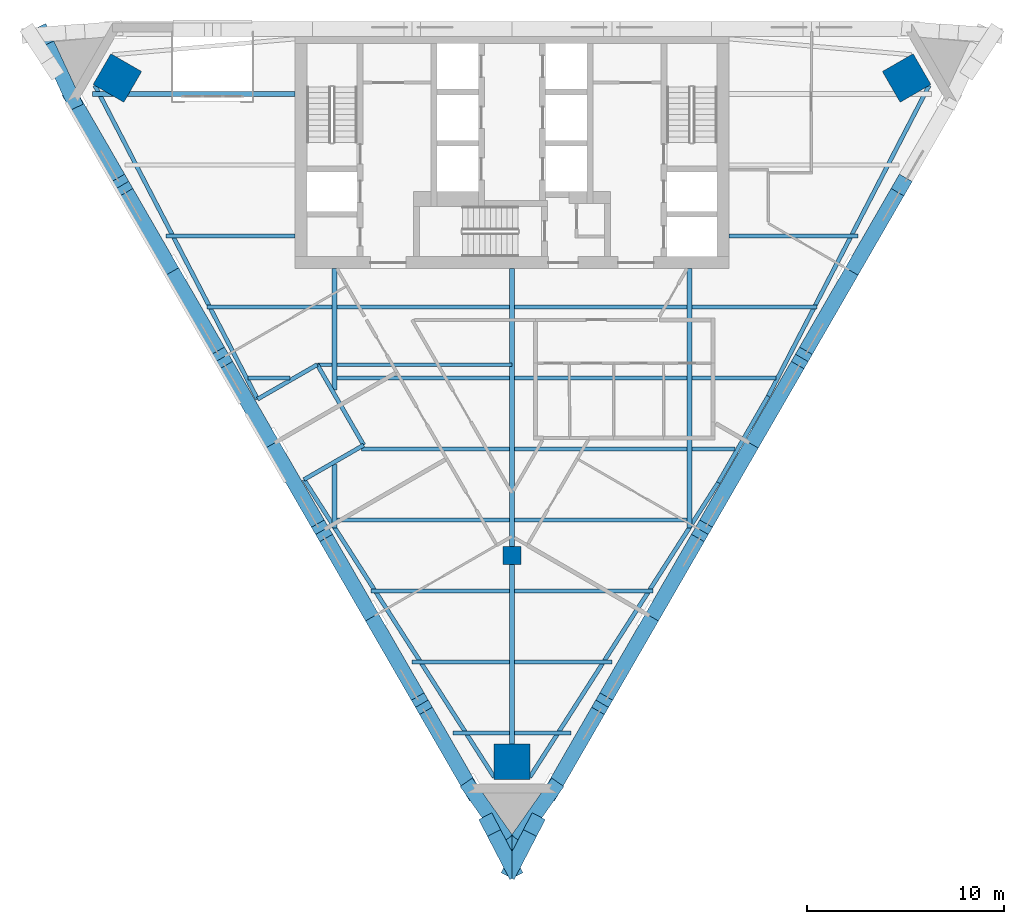
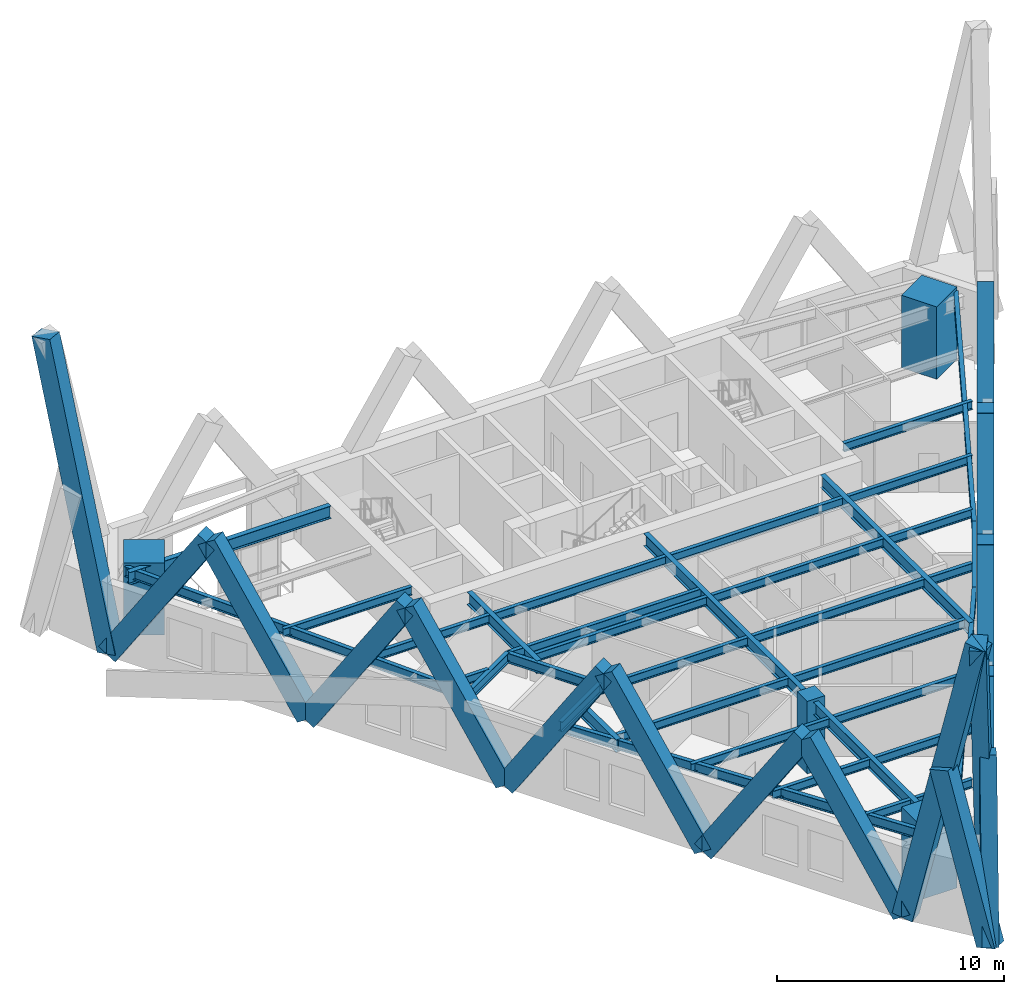
# One storey, part 1 of 9: 36 beams, 20 members, 4 columns.
"""IFC4 building model written with IfcOpenShell, lengths in metres."""

from ifc_helpers import new_model, si_unit, direction, frame, origin, origin_2d, place, context, subcontext, project, spatial, rectangle, i_section, extrude, material, material_profile, profile_set, type_object, element, save


model = new_model("IFC4")

# Units and contexts
model_context = context("Model", 3, precision=1e-05, world=origin(), true_north=direction((0.0, 1.0)))
body_context = subcontext(model_context, "Body", "Model", "MODEL_VIEW")
ifc_project = project(units=[si_unit("LENGTHUNIT", "METRE"), si_unit("AREAUNIT", "SQUARE_METRE"), si_unit("VOLUMEUNIT", "CUBIC_METRE"), si_unit("PLANEANGLEUNIT", "RADIAN"), si_unit("MASSUNIT", "GRAM", prefix="KILO")], contexts=[model_context])

# Site, building, storey
site_placement = place(None, origin())
site = spatial("IfcSite", under=ifc_project, at=site_placement, CompositionType="ELEMENT")
building_placement = place(site_placement, origin())
building = spatial("IfcBuilding", under=site, at=building_placement, Name="Aloe Facet Convention Tower", CompositionType="ELEMENT")
storey_placement = place(building_placement, frame((0.0, 0.0, 144.199951171875)))
storey = spatial("IfcBuildingStorey", under=building, at=storey_placement, Name="L36", CompositionType="ELEMENT", Elevation=144.199951171875)

# Columns
ifc_material_1 = material(Name="Concrete C70/85", Category="concrete")
ifc_material_profile_1 = material_profile(ifc_material_1, rectangle(XDim=0.89990234375, YDim=0.89990234375, at=origin_2d()), Name="SF-GC-Z3")
ifc_profile_set_1 = profile_set([ifc_material_profile_1], Name="Concrete C70/85")
column_type_1 = type_object("IfcColumnType", Name="SF-GC-Z3", PredefinedType="COLUMN", material=ifc_profile_set_1)
column_placement = place(storey_placement, frame((80.0, 108.0, 0.0), z_axis=(0.0, 0.0, 1.0), x_axis=(1.0, 0.0, 0.0)))
element("IfcColumn", 1, at=column_placement, inside=storey, type_object=column_type_1, Name="Gravity column GC-Z3-9D", PredefinedType="COLUMN", context=body_context, shape_type="SweptSolid", body=[
    extrude(rectangle(XDim=0.89990234375, YDim=0.89990234375, at=origin_2d()), origin(), (0.0, 0.0, 1.0), 3.900146484375),
])
ifc_material_2 = material(Name="Concrete C80/95", Category="concrete")
ifc_material_profile_2 = material_profile(ifc_material_2, rectangle(XDim=1.800048828125, YDim=1.800048828125, at=origin_2d()), Name="STW-MC-Z3")
ifc_profile_set_2 = profile_set([ifc_material_profile_2], Name="Concrete C80/95")
column_type_2 = type_object("IfcColumnType", Name="STW-MC-Z3", PredefinedType="COLUMN", material=ifc_profile_set_2)
for number, where, z_axis, x_axis, name in (
    (2, (100.00732421875, 132.208251953125, 0.0), (0.0, 0.0, 1.0), (-0.5, 0.866025403784, 0.0), "Mega-column MC-NE-L36"),
    (3, (59.99267578125, 132.208251953125, 0.0), (0.0, 0.0, 1.0), (-0.5, -0.866025403784, 0.0), "Mega-column MC-NW-L36"),
    (4, (80.0, 97.55419921875, 0.0), (0.0, 0.0, 1.0), (1.0, 0.0, 0.0), "Mega-column MC-S-L36"),
):
    element("IfcColumn", number, at=place(storey_placement, frame(where, z_axis=z_axis, x_axis=x_axis)), inside=storey, type_object=column_type_2, Name=name, PredefinedType="COLUMN", context=body_context, shape_type="SweptSolid", body=[
        extrude(rectangle(XDim=1.800048828125, YDim=1.800048828125, at=origin_2d()), origin(), (0.0, 0.0, 1.0), 3.900146484375),
    ])

# Beams
ifc_material_3 = material(Name="Steel S355", Category="steel")
ifc_material_profile_3 = material_profile(ifc_material_3, i_section(OverallWidth=0.19140625, OverallDepth=0.4599609375, WebThickness=0.010009765625, FlangeThickness=0.01611328125, FilletRadius=0.01025390625, at=origin_2d()), Name="UB 457x191x82")
ifc_profile_set_3 = profile_set([ifc_material_profile_3], Name="Steel S355")
beam_type_1 = type_object("IfcBeamType", Name="SF-B-UB457x191x82", PredefinedType="BEAM", material=ifc_profile_set_3)
beam_1_placement = place(storey_placement, frame((62.452392578125, 124.199951171875, 3.52001953125), z_axis=(1.0, 0.0, 0.0), x_axis=(0.0, 1.0, 0.0)))
element("IfcBeam", 5, at=beam_1_placement, inside=storey, type_object=beam_type_1, Name="Floor beam FB-Z3F-019", PredefinedType="BEAM", context=body_context, shape_type="SweptSolid", body=[
    extrude(i_section(OverallWidth=0.19140625, OverallDepth=0.4599609375, WebThickness=0.010009765625, FlangeThickness=0.01611328125, FilletRadius=0.01025390625, at=origin_2d()), origin(), (0.0, 0.0, 1.0), 6.547607421875),
])
beam_2_placement = place(storey_placement, frame((64.53076171875, 120.60009765625, 3.52001953125), z_axis=(1.0, 0.0, 0.0), x_axis=(0.0, 1.0, 0.0)))
element("IfcBeam", 6, at=beam_2_placement, inside=storey, type_object=beam_type_1, Name="Floor beam FB-Z3F-020", PredefinedType="BEAM", context=body_context, shape_type="SweptSolid", body=[
    extrude(i_section(OverallWidth=0.19140625, OverallDepth=0.4599609375, WebThickness=0.010009765625, FlangeThickness=0.01611328125, FilletRadius=0.01025390625, at=origin_2d()), origin(), (0.0, 0.0, 1.0), 6.3427734375),
])
beam_3_placement = place(storey_placement, frame((66.609130859375, 117.0, 3.52001953125), z_axis=(1.0, 0.0, 0.0), x_axis=(0.0, 1.0, 0.0)))
element("IfcBeam", 7, at=beam_3_placement, inside=storey, type_object=beam_type_1, Name="Floor beam FB-Z3F-021", PredefinedType="BEAM", context=body_context, shape_type="SweptSolid", body=[
    extrude(i_section(OverallWidth=0.19140625, OverallDepth=0.4599609375, WebThickness=0.010009765625, FlangeThickness=0.01611328125, FilletRadius=0.01025390625, at=origin_2d()), origin(), (0.0, 0.0, 1.0), 2.12841796875),
])
beam_4_placement = place(storey_placement, frame((70.129150390625, 117.6767578125, 3.52001953125), z_axis=(1.0, 0.0, 0.0), x_axis=(0.0, 1.0, 0.0)))
element("IfcBeam", 8, at=beam_4_placement, inside=storey, type_object=beam_type_1, Name="Floor beam FB-Z3F-022", PredefinedType="BEAM", context=body_context, shape_type="SweptSolid", body=[
    extrude(i_section(OverallWidth=0.19140625, OverallDepth=0.4599609375, WebThickness=0.010009765625, FlangeThickness=0.01611328125, FilletRadius=0.01025390625, at=origin_2d()), origin(), (0.0, 0.0, 1.0), 9.870849609375),
])
for number, where, z_axis, x_axis, name in (
    (9, (71.12646484375, 109.800048828125, 3.52001953125), (1.0, 0.0, 0.0), (0.0, 1.0, 0.0), "Floor beam FB-Z3F-023"),
    (10, (71.12646484375, 117.0, 3.52001953125), (1.0, 0.0, 0.0), (0.0, 1.0, 0.0), "Floor beam FB-Z3F-024"),
    (11, (71.12646484375, 120.60009765625, 3.52001953125), (1.0, 0.0, 0.0), (0.0, 1.0, 0.0), "Floor beam FB-Z3F-025"),
):
    element("IfcBeam", number, at=place(storey_placement, frame(where, z_axis=z_axis, x_axis=x_axis)), inside=storey, type_object=beam_type_1, Name=name, PredefinedType="BEAM", context=body_context, shape_type="SweptSolid", body=[
        extrude(i_section(OverallWidth=0.19140625, OverallDepth=0.4599609375, WebThickness=0.010009765625, FlangeThickness=0.01611328125, FilletRadius=0.01025390625, at=origin_2d()), origin(), (0.0, 0.0, 1.0), 8.7470703125),
    ])
beam_5_placement = place(storey_placement, frame((72.359375, 113.39990234375, 3.52001953125), z_axis=(1.0, 0.0, 0.0), x_axis=(0.0, 1.0, 0.0)))
element("IfcBeam", 12, at=beam_5_placement, inside=storey, type_object=beam_type_1, Name="Floor beam FB-Z3F-026", PredefinedType="BEAM", context=body_context, shape_type="SweptSolid", body=[
    extrude(i_section(OverallWidth=0.19140625, OverallDepth=0.4599609375, WebThickness=0.010009765625, FlangeThickness=0.01611328125, FilletRadius=0.01025390625, at=origin_2d()), origin(), (0.0, 0.0, 1.0), 7.51416015625),
])
beam_6_placement = place(storey_placement, frame((72.844482421875, 106.199951171875, 3.52001953125), z_axis=(1.0, 0.0, 0.0), x_axis=(0.0, 1.0, 0.0)))
element("IfcBeam", 13, at=beam_6_placement, inside=storey, type_object=beam_type_1, Name="Floor beam FB-Z3F-027", PredefinedType="BEAM", context=body_context, shape_type="SweptSolid", body=[
    extrude(i_section(OverallWidth=0.19140625, OverallDepth=0.4599609375, WebThickness=0.010009765625, FlangeThickness=0.01611328125, FilletRadius=0.01025390625, at=origin_2d()), origin(), (0.0, 0.0, 1.0), 7.029052734375),
])
beam_7_placement = place(storey_placement, frame((74.923095703125, 102.60009765625, 3.52001953125), z_axis=(1.0, 0.0, 0.0), x_axis=(0.0, 1.0, 0.0)))
element("IfcBeam", 14, at=beam_7_placement, inside=storey, type_object=beam_type_1, Name="Floor beam FB-Z3F-028", PredefinedType="BEAM", context=body_context, shape_type="SweptSolid", body=[
    extrude(i_section(OverallWidth=0.19140625, OverallDepth=0.4599609375, WebThickness=0.010009765625, FlangeThickness=0.01611328125, FilletRadius=0.01025390625, at=origin_2d()), origin(), (0.0, 0.0, 1.0), 4.950439453125),
])
for number, where, z_axis, x_axis, name in (
    (15, (77.00146484375, 99.0, 3.52001953125), (1.0, 0.0, 0.0), (0.0, 1.0, 0.0), "Floor beam FB-Z3F-029"),
    (16, (80.12646484375, 99.0, 3.52001953125), (1.0, 0.0, 0.0), (0.0, 1.0, 0.0), "Floor beam FB-Z3F-030"),
):
    element("IfcBeam", number, at=place(storey_placement, frame(where, z_axis=z_axis, x_axis=x_axis)), inside=storey, type_object=beam_type_1, Name=name, PredefinedType="BEAM", context=body_context, shape_type="SweptSolid", body=[
        extrude(i_section(OverallWidth=0.19140625, OverallDepth=0.4599609375, WebThickness=0.010009765625, FlangeThickness=0.01611328125, FilletRadius=0.01025390625, at=origin_2d()), origin(), (0.0, 0.0, 1.0), 2.8720703125),
    ])
beam_8_placement = place(storey_placement, frame((80.12646484375, 102.60009765625, 3.52001953125), z_axis=(1.0, 0.0, 0.0), x_axis=(0.0, 1.0, 0.0)))
element("IfcBeam", 17, at=beam_8_placement, inside=storey, type_object=beam_type_1, Name="Floor beam FB-Z3F-031", PredefinedType="BEAM", context=body_context, shape_type="SweptSolid", body=[
    extrude(i_section(OverallWidth=0.19140625, OverallDepth=0.4599609375, WebThickness=0.010009765625, FlangeThickness=0.01611328125, FilletRadius=0.01025390625, at=origin_2d()), origin(), (0.0, 0.0, 1.0), 4.950439453125),
])
beam_9_placement = place(storey_placement, frame((80.12646484375, 106.199951171875, 3.52001953125), z_axis=(1.0, 0.0, 0.0), x_axis=(0.0, 1.0, 0.0)))
element("IfcBeam", 18, at=beam_9_placement, inside=storey, type_object=beam_type_1, Name="Floor beam FB-Z3F-032", PredefinedType="BEAM", context=body_context, shape_type="SweptSolid", body=[
    extrude(i_section(OverallWidth=0.19140625, OverallDepth=0.4599609375, WebThickness=0.010009765625, FlangeThickness=0.01611328125, FilletRadius=0.01025390625, at=origin_2d()), origin(), (0.0, 0.0, 1.0), 7.029052734375),
])
for number, where, z_axis, x_axis, name in (
    (19, (80.12646484375, 109.800048828125, 3.52001953125), (1.0, 0.0, 0.0), (0.0, 1.0, 0.0), "Floor beam FB-Z3F-033"),
    (20, (80.12646484375, 113.39990234375, 3.52001953125), (1.0, 0.0, 0.0), (0.0, 1.0, 0.0), "Floor beam FB-Z3F-034"),
    (21, (80.12646484375, 117.0, 3.52001953125), (1.0, 0.0, 0.0), (0.0, 1.0, 0.0), "Floor beam FB-Z3F-035"),
    (22, (80.12646484375, 120.60009765625, 3.52001953125), (1.0, 0.0, 0.0), (0.0, 1.0, 0.0), "Floor beam FB-Z3F-036"),
):
    element("IfcBeam", number, at=place(storey_placement, frame(where, z_axis=z_axis, x_axis=x_axis)), inside=storey, type_object=beam_type_1, Name=name, PredefinedType="BEAM", context=body_context, shape_type="SweptSolid", body=[
        extrude(i_section(OverallWidth=0.19140625, OverallDepth=0.4599609375, WebThickness=0.010009765625, FlangeThickness=0.01611328125, FilletRadius=0.01025390625, at=origin_2d()), origin(), (0.0, 0.0, 1.0), 8.7470703125),
    ])
beam_10_placement = place(storey_placement, frame((89.12646484375, 113.39990234375, 3.52001953125), z_axis=(1.0, 0.0, 0.0), x_axis=(0.0, 1.0, 0.0)))
element("IfcBeam", 23, at=beam_10_placement, inside=storey, type_object=beam_type_1, Name="Floor beam FB-Z3F-037", PredefinedType="BEAM", context=body_context, shape_type="SweptSolid", body=[
    extrude(i_section(OverallWidth=0.19140625, OverallDepth=0.4599609375, WebThickness=0.010009765625, FlangeThickness=0.01611328125, FilletRadius=0.01025390625, at=origin_2d()), origin(), (0.0, 0.0, 1.0), 2.185791015625),
])
beam_11_placement = place(storey_placement, frame((89.12646484375, 117.0, 3.52001953125), z_axis=(1.0, 0.0, 0.0), x_axis=(0.0, 1.0, 0.0)))
element("IfcBeam", 24, at=beam_11_placement, inside=storey, type_object=beam_type_1, Name="Floor beam FB-Z3F-038", PredefinedType="BEAM", context=body_context, shape_type="SweptSolid", body=[
    extrude(i_section(OverallWidth=0.19140625, OverallDepth=0.4599609375, WebThickness=0.010009765625, FlangeThickness=0.01611328125, FilletRadius=0.01025390625, at=origin_2d()), origin(), (0.0, 0.0, 1.0), 4.264404296875),
])
beam_12_placement = place(storey_placement, frame((89.12646484375, 120.60009765625, 3.52001953125), z_axis=(1.0, 0.0, 0.0), x_axis=(0.0, 1.0, 0.0)))
element("IfcBeam", 25, at=beam_12_placement, inside=storey, type_object=beam_type_1, Name="Floor beam FB-Z3F-039", PredefinedType="BEAM", context=body_context, shape_type="SweptSolid", body=[
    extrude(i_section(OverallWidth=0.19140625, OverallDepth=0.4599609375, WebThickness=0.010009765625, FlangeThickness=0.01611328125, FilletRadius=0.01025390625, at=origin_2d()), origin(), (0.0, 0.0, 1.0), 6.3427734375),
])
beam_13_placement = place(storey_placement, frame((91.0, 124.199951171875, 3.52001953125), z_axis=(1.0, 0.0, 0.0), x_axis=(0.0, 1.0, 0.0)))
element("IfcBeam", 26, at=beam_13_placement, inside=storey, type_object=beam_type_1, Name="Floor beam FB-Z3F-040", PredefinedType="BEAM", context=body_context, shape_type="SweptSolid", body=[
    extrude(i_section(OverallWidth=0.19140625, OverallDepth=0.4599609375, WebThickness=0.010009765625, FlangeThickness=0.01611328125, FilletRadius=0.01025390625, at=origin_2d()), origin(), (0.0, 0.0, 1.0), 6.547607421875),
])
ifc_material_4 = material(Name="Steel S355", Category="steel")
ifc_material_profile_4 = material_profile(ifc_material_4, i_section(OverallWidth=0.209228515625, OverallDepth=0.533203125, WebThickness=0.010009765625, FlangeThickness=0.015625, FilletRadius=0.0126953125, at=origin_2d()), Name="UB 533x210x92")
ifc_profile_set_4 = profile_set([ifc_material_profile_4], Name="Steel S355")
beam_type_2 = type_object("IfcBeamType", Name="SF-B-UB533x210x92", PredefinedType="BEAM", material=ifc_profile_set_4)
beam_14_placement = place(storey_placement, frame((67.097900390625, 115.9267578125, 3.4833984375), z_axis=(-0.460311593914, 0.887757419855, 0.0), x_axis=(-0.887757419855, -0.460311593914, 0.0)))
element("IfcBeam", 27, at=beam_14_placement, inside=storey, type_object=beam_type_2, Name="Floor beam FB-Z3F-001", PredefinedType="BEAM", context=body_context, shape_type="SweptSolid", body=[
    extrude(i_section(OverallWidth=0.209228515625, OverallDepth=0.533203125, WebThickness=0.010009765625, FlangeThickness=0.015625, FilletRadius=0.0126953125, at=origin_2d()), origin(), (0.0, 0.0, 1.0), 17.909912109375),
])
beam_15_placement = place(storey_placement, frame((69.45263671875, 111.848388671875, 3.4833984375), z_axis=(0.866019471182, 0.500010275428, 0.0), x_axis=(-0.500010275428, 0.866019471182, 0.0)))
element("IfcBeam", 28, at=beam_15_placement, inside=storey, type_object=beam_type_2, Name="Floor beam FB-Z3F-003", PredefinedType="BEAM", context=body_context, shape_type="SweptSolid", body=[
    extrude(i_section(OverallWidth=0.209228515625, OverallDepth=0.533203125, WebThickness=0.010009765625, FlangeThickness=0.015625, FilletRadius=0.0126953125, at=origin_2d()), origin(), (0.0, 0.0, 1.0), 3.5),
])
beam_16_placement = place(storey_placement, frame((69.45263671875, 111.848388671875, 3.4833984375), z_axis=(0.538662177548, -0.842521844512, 0.0), x_axis=(0.842521844512, 0.538662177548, 0.0)))
element("IfcBeam", 29, at=beam_16_placement, inside=storey, type_object=beam_type_2, Name="Floor beam FB-Z3F-004", PredefinedType="BEAM", context=body_context, shape_type="SweptSolid", body=[
    extrude(i_section(OverallWidth=0.209228515625, OverallDepth=0.533203125, WebThickness=0.010009765625, FlangeThickness=0.015625, FilletRadius=0.0126953125, at=origin_2d()), origin(), (0.0, 0.0, 1.0), 17.91015625),
])
beam_17_placement = place(storey_placement, frame((70.129150390625, 117.6767578125, 3.4833984375), z_axis=(-0.866036909293, -0.499980071345, 0.0), x_axis=(0.499980071345, -0.866036909293, 0.0)))
element("IfcBeam", 30, at=beam_17_placement, inside=storey, type_object=beam_type_2, Name="Floor beam FB-Z3F-005", PredefinedType="BEAM", context=body_context, shape_type="SweptSolid", body=[
    extrude(i_section(OverallWidth=0.209228515625, OverallDepth=0.533203125, WebThickness=0.010009765625, FlangeThickness=0.015625, FilletRadius=0.0126953125, at=origin_2d()), origin(), (0.0, 0.0, 1.0), 3.500244140625),
])
beam_18_placement = place(storey_placement, frame((72.483642578125, 113.598388671875, 3.4833984375), z_axis=(-0.499975261021, 0.86603968637, 0.0), x_axis=(-0.86603968637, -0.499975261021, 0.0)))
element("IfcBeam", 31, at=beam_18_placement, inside=storey, type_object=beam_type_2, Name="Floor beam FB-Z3F-006", PredefinedType="BEAM", context=body_context, shape_type="SweptSolid", body=[
    extrude(i_section(OverallWidth=0.209228515625, OverallDepth=0.533203125, WebThickness=0.010009765625, FlangeThickness=0.015625, FilletRadius=0.0126953125, at=origin_2d()), origin(), (0.0, 0.0, 1.0), 4.709228515625),
])
beam_19_placement = place(storey_placement, frame((90.45947265625, 111.6962890625, 3.4833984375), z_axis=(-0.539036507864, -0.842282401092, 0.0), x_axis=(0.842282401092, -0.539036507864, 0.0)))
element("IfcBeam", 32, at=beam_19_placement, inside=storey, type_object=beam_type_2, Name="Floor beam FB-Z3F-007", PredefinedType="BEAM", context=body_context, shape_type="SweptSolid", body=[
    extrude(i_section(OverallWidth=0.209228515625, OverallDepth=0.533203125, WebThickness=0.010009765625, FlangeThickness=0.015625, FilletRadius=0.0126953125, at=origin_2d()), origin(), (0.0, 0.0, 1.0), 17.734619140625),
])
beam_20_placement = place(storey_placement, frame((92.989990234375, 116.0791015625, 3.4833984375), z_axis=(-0.500014760403, -0.866016881694, 0.0), x_axis=(0.866016881694, -0.500014760403, 0.0)))
element("IfcBeam", 33, at=beam_20_placement, inside=storey, type_object=beam_type_2, Name="Floor beam FB-Z3F-009", PredefinedType="BEAM", context=body_context, shape_type="SweptSolid", body=[
    extrude(i_section(OverallWidth=0.209228515625, OverallDepth=0.533203125, WebThickness=0.010009765625, FlangeThickness=0.015625, FilletRadius=0.0126953125, at=origin_2d()), origin(), (0.0, 0.0, 1.0), 5.060791015625),
])
beam_21_placement = place(storey_placement, frame((92.989990234375, 116.0791015625, 3.4833984375), z_axis=(0.459916083949, 0.887962384184, 0.0), x_axis=(-0.887962384184, 0.459916083949, 0.0)))
element("IfcBeam", 34, at=beam_21_placement, inside=storey, type_object=beam_type_2, Name="Floor beam FB-Z3F-010", PredefinedType="BEAM", context=body_context, shape_type="SweptSolid", body=[
    extrude(i_section(OverallWidth=0.209228515625, OverallDepth=0.533203125, WebThickness=0.010009765625, FlangeThickness=0.015625, FilletRadius=0.0126953125, at=origin_2d()), origin(), (0.0, 0.0, 1.0), 17.734130859375),
])
ifc_material_5 = material(Name="Steel S355", Category="steel")
ifc_material_profile_5 = material_profile(ifc_material_5, i_section(OverallWidth=0.2529296875, OverallDepth=0.677978515625, WebThickness=0.01171875, FlangeThickness=0.01611328125, FilletRadius=0.01513671875, at=origin_2d()), Name="UB 686x254x125")
ifc_profile_set_5 = profile_set([ifc_material_profile_5], Name="Steel S355")
beam_type_3 = type_object("IfcBeamType", Name="SF-B-UB686x254x125", PredefinedType="BEAM", material=ifc_profile_set_5)
beam_22_placement = place(storey_placement, frame((58.73828125, 131.39990234375, 3.4111328125), z_axis=(1.0, 0.0, 0.0), x_axis=(0.0, 1.0, 0.0)))
element("IfcBeam", 35, at=beam_22_placement, inside=storey, type_object=beam_type_3, Name="Floor beam FB-Z3F-011", PredefinedType="BEAM", context=body_context, shape_type="SweptSolid", body=[
    extrude(i_section(OverallWidth=0.2529296875, OverallDepth=0.677978515625, WebThickness=0.01171875, FlangeThickness=0.01611328125, FilletRadius=0.01513671875, at=origin_2d()), origin(), (0.0, 0.0, 1.0), 10.26171875),
])
beam_23_placement = place(storey_placement, frame((71.0, 112.61083984375, 3.4111328125), z_axis=(0.0, -1.0, 0.0), x_axis=(1.0, 0.0, 0.0)))
element("IfcBeam", 36, at=beam_23_placement, inside=storey, type_object=beam_type_3, Name="Floor beam FB-Z3F-012", PredefinedType="BEAM", context=body_context, shape_type="SweptSolid", body=[
    extrude(i_section(OverallWidth=0.2529296875, OverallDepth=0.677978515625, WebThickness=0.01171875, FlangeThickness=0.01611328125, FilletRadius=0.01513671875, at=origin_2d()), origin(), (0.0, 0.0, 1.0), 3.22314453125),
])
beam_24_placement = place(storey_placement, frame((71.0, 122.550048828125, 3.4111328125), z_axis=(0.0, -1.0, 0.0), x_axis=(1.0, 0.0, 0.0)))
element("IfcBeam", 37, at=beam_24_placement, inside=storey, type_object=beam_type_3, Name="Floor beam FB-Z3F-013", PredefinedType="BEAM", context=body_context, shape_type="SweptSolid", body=[
    extrude(i_section(OverallWidth=0.2529296875, OverallDepth=0.677978515625, WebThickness=0.01171875, FlangeThickness=0.01611328125, FilletRadius=0.01513671875, at=origin_2d()), origin(), (0.0, 0.0, 1.0), 6.162353515625),
])
beam_25_placement = place(storey_placement, frame((80.0, 107.550048828125, 3.4111328125), z_axis=(0.0, -1.0, 0.0), x_axis=(1.0, 0.0, 0.0)))
element("IfcBeam", 38, at=beam_25_placement, inside=storey, type_object=beam_type_3, Name="Floor beam FB-Z3F-014", PredefinedType="BEAM", context=body_context, shape_type="SweptSolid", body=[
    extrude(i_section(OverallWidth=0.2529296875, OverallDepth=0.677978515625, WebThickness=0.01171875, FlangeThickness=0.01611328125, FilletRadius=0.01513671875, at=origin_2d()), origin(), (0.0, 0.0, 1.0), 10.676513671875),
])
beam_26_placement = place(storey_placement, frame((80.0, 122.550048828125, 3.4111328125), z_axis=(0.0, -1.0, 0.0), x_axis=(1.0, 0.0, 0.0)))
element("IfcBeam", 39, at=beam_26_placement, inside=storey, type_object=beam_type_3, Name="Floor beam FB-Z3F-015", PredefinedType="BEAM", context=body_context, shape_type="SweptSolid", body=[
    extrude(i_section(OverallWidth=0.2529296875, OverallDepth=0.677978515625, WebThickness=0.01171875, FlangeThickness=0.01611328125, FilletRadius=0.01513671875, at=origin_2d()), origin(), (0.0, 0.0, 1.0), 14.10009765625),
])
beam_27_placement = place(storey_placement, frame((89.0, 122.550048828125, 3.4111328125), z_axis=(0.0, -1.0, 0.0), x_axis=(1.0, 0.0, 0.0)))
element("IfcBeam", 40, at=beam_27_placement, inside=storey, type_object=beam_type_3, Name="Floor beam FB-Z3F-016", PredefinedType="BEAM", context=body_context, shape_type="SweptSolid", body=[
    extrude(i_section(OverallWidth=0.2529296875, OverallDepth=0.677978515625, WebThickness=0.01171875, FlangeThickness=0.01611328125, FilletRadius=0.01513671875, at=origin_2d()), origin(), (0.0, 0.0, 1.0), 13.162353515625),
])

# Members
ifc_material_6 = material(Name="Concrete C60/75, bronze oxide finish", Category="concrete")
ifc_material_profile_6 = material_profile(ifc_material_6, rectangle(XDim=0.75, YDim=1.0, at=origin_2d()), Name="STW-LM")
ifc_profile_set_6 = profile_set([ifc_material_profile_6], Name="Concrete C60/75, bronze oxide finish")
member_type = type_object("IfcMemberType", Name="STW-LM", PredefinedType="BRACE", material=ifc_profile_set_6)
for number, where, z_axis, x_axis, name in (
    (41, (57.716796875, 131.166259765625, 0.0), (0.272132057907, -0.471373475835, 0.838898795647), (0.866037770685, 0.499978579288, 0.0), "Lattice member LM-Z3-F2-R2-01"),
    (42, (62.777587890625, 122.40087890625, 0.0), (-0.272159738981, 0.47134968398, 0.83890318386), (-0.866004820053, -0.500035650373, 0.0), "Lattice member LM-Z3-F2-R2-02"),
    (43, (62.777587890625, 122.40087890625, 0.0), (0.272132057907, -0.471373475835, 0.838898795647), (0.866037770685, 0.499978579288, 0.0), "Lattice member LM-Z3-F2-R2-03"),
):
    element("IfcMember", number, at=place(storey_placement, frame(where, z_axis=z_axis, x_axis=x_axis)), inside=storey, type_object=member_type, Name=name, PredefinedType="BRACE", context=body_context, shape_type="SweptSolid", body=[
        extrude(rectangle(XDim=0.75, YDim=1.0, at=origin_2d()), origin(), (0.0, 0.0, 1.0), 9.2978515625),
    ])
member_1_placement = place(storey_placement, frame((67.83837890625, 113.63525390625, 0.0), z_axis=(-0.272156370565, 0.471370107514, 0.838892801079), x_axis=(-0.866016881694, -0.500014760403, 0.0)))
element("IfcMember", 44, at=member_1_placement, inside=storey, type_object=member_type, Name="Lattice member LM-Z3-F2-R2-04", PredefinedType="BRACE", context=body_context, shape_type="SweptSolid", body=[
    extrude(rectangle(XDim=0.75, YDim=1.0, at=origin_2d()), origin(), (0.0, 0.0, 1.0), 9.298095703125),
])
for number, where, z_axis, x_axis, name in (
    (45, (67.83837890625, 113.63525390625, 0.0), (0.272132057907, -0.471373475835, 0.838898795647), (0.866037770685, 0.499978579288, 0.0), "Lattice member LM-Z3-F2-R2-05"),
    (46, (72.89892578125, 104.869873046875, 0.0), (-0.272135426071, 0.471353052238, 0.83890917865), (-0.866025710499, -0.499999468754, 0.0), "Lattice member LM-Z3-F2-R2-06"),
):
    element("IfcMember", number, at=place(storey_placement, frame(where, z_axis=z_axis, x_axis=x_axis)), inside=storey, type_object=member_type, Name=name, PredefinedType="BRACE", context=body_context, shape_type="SweptSolid", body=[
        extrude(rectangle(XDim=0.75, YDim=1.0, at=origin_2d()), origin(), (0.0, 0.0, 1.0), 9.2978515625),
    ])
member_2_placement = place(storey_placement, frame((72.89892578125, 104.869873046875, 0.0), z_axis=(0.272156370565, -0.471370107514, 0.838892801079), x_axis=(0.866016881694, 0.500014760403, 0.0)))
element("IfcMember", 47, at=member_2_placement, inside=storey, type_object=member_type, Name="Lattice member LM-Z3-F2-R2-07", PredefinedType="BRACE", context=body_context, shape_type="SweptSolid", body=[
    extrude(rectangle(XDim=0.75, YDim=1.0, at=origin_2d()), origin(), (0.0, 0.0, 1.0), 9.298095703125),
])
for number, where, z_axis, x_axis, name in (
    (48, (77.959716796875, 96.104248046875, 0.0), (-0.272132057907, 0.471373475835, 0.838898795647), (-0.866037770685, -0.499978579288, 0.0), "Lattice member LM-Z3-F2-R2-08"),
    (49, (82.040283203125, 96.104248046875, 0.0), (0.272132057907, 0.471373475835, 0.838898795647), (-0.866037770685, 0.499978579288, 0.0), "Lattice member LM-Z3-F3-R2-01"),
):
    element("IfcMember", number, at=place(storey_placement, frame(where, z_axis=z_axis, x_axis=x_axis)), inside=storey, type_object=member_type, Name=name, PredefinedType="BRACE", context=body_context, shape_type="SweptSolid", body=[
        extrude(rectangle(XDim=0.75, YDim=1.0, at=origin_2d()), origin(), (0.0, 0.0, 1.0), 9.2978515625),
    ])
member_3_placement = place(storey_placement, frame((87.10107421875, 104.869873046875, 0.0), z_axis=(-0.272156370565, -0.471370107514, 0.838892801079), x_axis=(0.866016881694, -0.500014760403, 0.0)))
element("IfcMember", 50, at=member_3_placement, inside=storey, type_object=member_type, Name="Lattice member LM-Z3-F3-R2-02", PredefinedType="BRACE", context=body_context, shape_type="SweptSolid", body=[
    extrude(rectangle(XDim=0.75, YDim=1.0, at=origin_2d()), origin(), (0.0, 0.0, 1.0), 9.298095703125),
])
for number, where, z_axis, x_axis, name in (
    (51, (87.10107421875, 104.869873046875, 0.0), (0.272135426071, 0.471353052238, 0.83890917865), (-0.866025710499, 0.499999468754, 0.0), "Lattice member LM-Z3-F3-R2-03"),
    (52, (92.16162109375, 113.63525390625, 0.0), (-0.272132057907, -0.471373475835, 0.838898795647), (0.866037770685, -0.499978579288, 0.0), "Lattice member LM-Z3-F3-R2-04"),
):
    element("IfcMember", number, at=place(storey_placement, frame(where, z_axis=z_axis, x_axis=x_axis)), inside=storey, type_object=member_type, Name=name, PredefinedType="BRACE", context=body_context, shape_type="SweptSolid", body=[
        extrude(rectangle(XDim=0.75, YDim=1.0, at=origin_2d()), origin(), (0.0, 0.0, 1.0), 9.2978515625),
    ])
member_4_placement = place(storey_placement, frame((92.16162109375, 113.63525390625, 0.0), z_axis=(0.272156370565, 0.471370107514, 0.838892801079), x_axis=(-0.866016881694, 0.500014760403, 0.0)))
element("IfcMember", 53, at=member_4_placement, inside=storey, type_object=member_type, Name="Lattice member LM-Z3-F3-R2-05", PredefinedType="BRACE", context=body_context, shape_type="SweptSolid", body=[
    extrude(rectangle(XDim=0.75, YDim=1.0, at=origin_2d()), origin(), (0.0, 0.0, 1.0), 9.298095703125),
])
for number, where, z_axis, x_axis, name in (
    (54, (97.222412109375, 122.40087890625, 0.0), (-0.272132057907, -0.471373475835, 0.838898795647), (0.866037770685, -0.499978579288, 0.0), "Lattice member LM-Z3-F3-R2-06"),
    (55, (97.222412109375, 122.40087890625, 0.0), (0.272159738981, 0.47134968398, 0.83890318386), (-0.866004820053, 0.500035650373, 0.0), "Lattice member LM-Z3-F3-R2-07"),
):
    element("IfcMember", number, at=place(storey_placement, frame(where, z_axis=z_axis, x_axis=x_axis)), inside=storey, type_object=member_type, Name=name, PredefinedType="BRACE", context=body_context, shape_type="SweptSolid", body=[
        extrude(rectangle(XDim=0.75, YDim=1.0, at=origin_2d()), origin(), (0.0, 0.0, 1.0), 9.2978515625),
    ])
member_5_placement = place(storey_placement, frame((57.716796875, 131.166259765625, 0.0), z_axis=(-0.09287971469, 0.200305751171, 0.975320954685), x_axis=(-0.907215383297, -0.420666433541, 0.0)))
element("IfcMember", 56, at=member_5_placement, inside=storey, type_object=member_type, Name="Lattice member LM-Z3-F4-R2-03", PredefinedType="BRACE", context=body_context, shape_type="SweptSolid", body=[
    extrude(rectangle(XDim=0.75, YDim=1.0, at=origin_2d()), origin(), (0.0, 0.0, 1.0), 15.994873046875),
])
member_6_placement = place(storey_placement, frame((77.959716796875, 96.104248046875, 0.0), z_axis=(0.127529597808, -0.181443929393, 0.975097073203), x_axis=(0.818131329424, 0.575031414634, 0.0)))
element("IfcMember", 57, at=member_6_placement, inside=storey, type_object=member_type, Name="Lattice member LM-Z3-F5-R2-01", PredefinedType="BRACE", context=body_context, shape_type="SweptSolid", body=[
    extrude(rectangle(XDim=0.75, YDim=1.0, at=origin_2d()), origin(), (0.0, 0.0, 1.0), 15.99853515625),
])
member_7_placement = place(storey_placement, frame((80.0, 92.173828125, 0.0), z_axis=(-0.125820940753, 0.242374002604, 0.961989570489), x_axis=(-0.887536656702, -0.460737108349, 0.0)))
element("IfcMember", 58, at=member_7_placement, inside=storey, type_object=member_type, Name="Lattice member LM-Z3-F5-R2-02", PredefinedType="BRACE", context=body_context, shape_type="SweptSolid", body=[
    extrude(rectangle(XDim=0.75, YDim=1.0, at=origin_2d()), origin(), (0.0, 0.0, 1.0), 9.00927734375),
])
member_8_placement = place(storey_placement, frame((82.040283203125, 96.104248046875, 0.0), z_axis=(-0.127529597808, -0.181443929393, 0.975097073203), x_axis=(0.818131329424, -0.575031414634, 0.0)))
element("IfcMember", 59, at=member_8_placement, inside=storey, type_object=member_type, Name="Lattice member LM-Z3-F5-R2-03", PredefinedType="BRACE", context=body_context, shape_type="SweptSolid", body=[
    extrude(rectangle(XDim=0.75, YDim=1.0, at=origin_2d()), origin(), (0.0, 0.0, 1.0), 15.99853515625),
])
member_9_placement = place(storey_placement, frame((80.0, 92.173828125, 0.0), z_axis=(0.125820940753, 0.242374002604, 0.961989570489), x_axis=(-0.887536656702, 0.460737108349, 0.0)))
element("IfcMember", 60, at=member_9_placement, inside=storey, type_object=member_type, Name="Lattice member LM-Z3-F5-R2-04", PredefinedType="BRACE", context=body_context, shape_type="SweptSolid", body=[
    extrude(rectangle(XDim=0.75, YDim=1.0, at=origin_2d()), origin(), (0.0, 0.0, 1.0), 9.00927734375),
])

save(model, "model.ifc")
